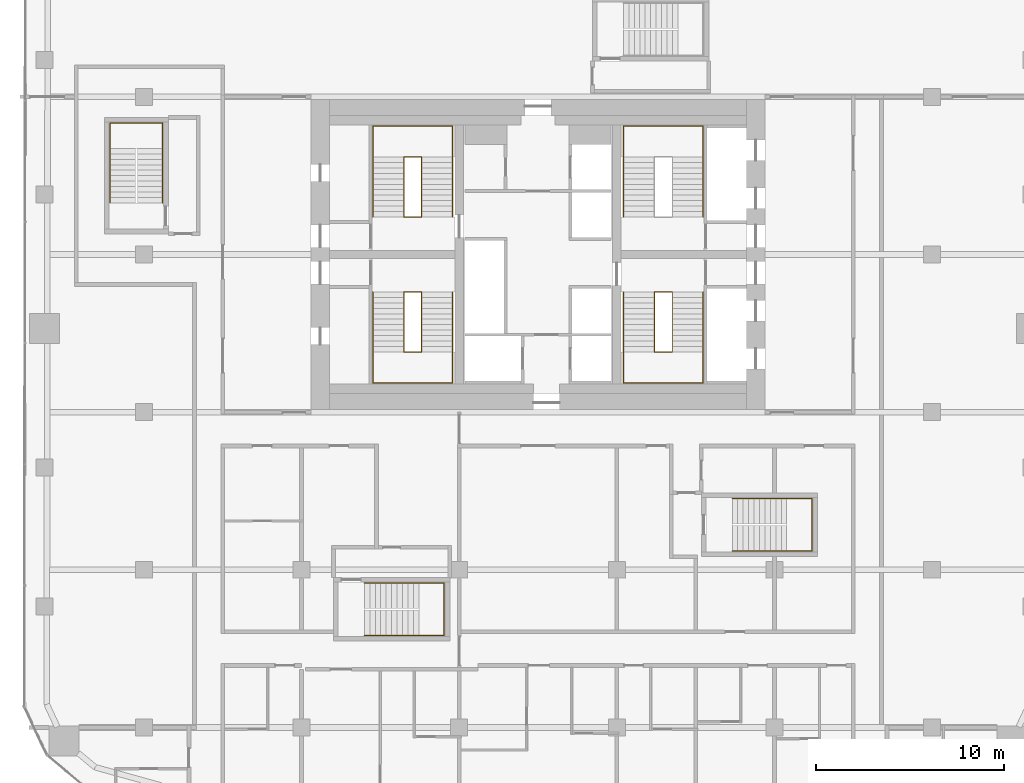
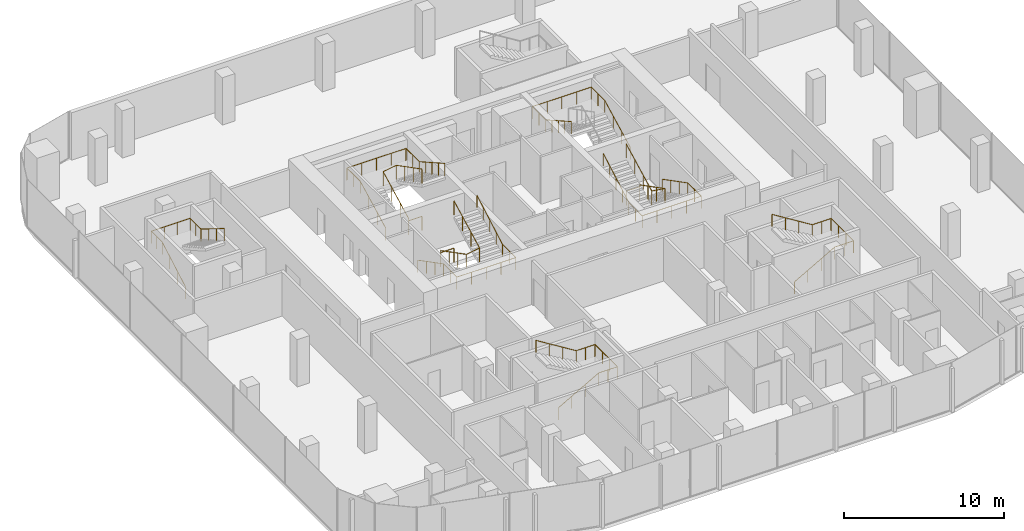
# One storey, part 20 of 21: 10 railings.
"""IFC4 building model written with IfcOpenShell, lengths in metres."""

from ifc_helpers import new_model, si_unit, direction, frame, origin, origin_2d, place, context, subcontext, project, spatial, circle, extrude, material, type_object, element, save


model = new_model("IFC4")

# Units and contexts
model_context = context("Model", 3, precision=1e-05, world=origin(), true_north=direction((0.0, 1.0)))
body_context = subcontext(model_context, "Body", "Model", "MODEL_VIEW")
ifc_project = project(units=[si_unit("LENGTHUNIT", "METRE"), si_unit("AREAUNIT", "SQUARE_METRE"), si_unit("VOLUMEUNIT", "CUBIC_METRE"), si_unit("PLANEANGLEUNIT", "RADIAN"), si_unit("MASSUNIT", "GRAM", prefix="KILO")], contexts=[model_context])

# Site, building, storey
site_placement = place(None, origin())
site = spatial("IfcSite", under=ifc_project, at=site_placement, CompositionType="ELEMENT")
building_placement = place(site_placement, origin())
building = spatial("IfcBuilding", under=site, at=building_placement, Name="Marenta Gate Hotel Tower", CompositionType="ELEMENT")
storey_placement = place(building_placement, frame((0.0, 0.0, 133.699951171875)))
storey = spatial("IfcBuildingStorey", under=building, at=storey_placement, Name="L30", CompositionType="ELEMENT", Elevation=133.699951171875)

# Railings
ifc_material_1 = material(Name="Stainless steel", Category="steel")
railing_type_1 = type_object("IfcRailingType", Name="Core stair handrail 950", PredefinedType="HANDRAIL", material=ifc_material_1)
railing_1_placement = place(storey_placement, frame((-8.800048828125, 6.39990234375, 0.150146484375)))
element("IfcRailing", 1, at=railing_1_placement, inside=storey, type_object=railing_type_1, Name="HR-950 L30-KR-ST1-1", PredefinedType="HANDRAIL", context=body_context, shape_type="SweptSolid", body=[
    extrude(circle(Radius=0.02392578125, at=origin_2d()), frame((0.0, 0.0, 0.92578125), z_axis=(0.0, -0.888225295554, 0.459408123936), x_axis=(1.0, 0.0, 0.0)), (0.0, 0.0, 1.0), 3.59130859375),
    extrude(circle(Radius=0.02392578125, at=origin_2d()), frame((0.0, -3.18994140625, 2.57568359375), z_axis=(0.0, -1.0, 0.0), x_axis=(1.0, 0.0, 0.0)), (0.0, 0.0, 1.0), 1.659912109375),
    extrude(circle(Radius=0.02392578125, at=origin_2d()), frame((0.0, -4.849853515625, 2.57568359375), z_axis=(1.0, 0.0, 0.0), x_axis=(0.0, 1.0, 0.0)), (0.0, 0.0, 1.0), 4.25),
    extrude(circle(Radius=0.02392578125, at=origin_2d()), frame((4.25, -4.849853515625, 2.57568359375), z_axis=(0.0, 1.0, 0.0), x_axis=(-1.0, 0.0, 0.0)), (0.0, 0.0, 1.0), 1.659912109375),
    extrude(circle(Radius=0.02392578125, at=origin_2d()), frame((4.25, -3.18994140625, 2.57568359375), z_axis=(0.0, 0.87090897868, 0.491444351738), x_axis=(-1.0, 0.0, 0.0)), (0.0, 0.0, 1.0), 3.662841796875),
    extrude(circle(Radius=0.02099609375, at=origin_2d()), origin(), (0.0, 0.0, 1.0), 0.90185546875),
    extrude(circle(Radius=0.02099609375, at=origin_2d()), frame((0.0, -1.063232421875, 0.550048828125)), (0.0, 0.0, 1.0), 0.90185546875),
    extrude(circle(Radius=0.02099609375, at=origin_2d()), frame((0.0, -2.126708984375, 1.099853515625)), (0.0, 0.0, 1.0), 0.90185546875),
    extrude(circle(Radius=0.02099609375, at=origin_2d()), frame((0.0, -3.18994140625, 1.64990234375)), (0.0, 0.0, 1.0), 0.90185546875),
    extrude(circle(Radius=0.02099609375, at=origin_2d()), frame((0.0, -4.02001953125, 1.64990234375)), (0.0, 0.0, 1.0), 0.90185546875),
    extrude(circle(Radius=0.02099609375, at=origin_2d()), frame((0.0, -4.849853515625, 1.64990234375)), (0.0, 0.0, 1.0), 0.90185546875),
    extrude(circle(Radius=0.02099609375, at=origin_2d()), frame((1.0625, -4.849853515625, 1.64990234375)), (0.0, 0.0, 1.0), 0.90185546875),
    extrude(circle(Radius=0.02099609375, at=origin_2d()), frame((2.125, -4.849853515625, 1.64990234375)), (0.0, 0.0, 1.0), 0.90185546875),
    extrude(circle(Radius=0.02099609375, at=origin_2d()), frame((3.1875, -4.849853515625, 1.64990234375)), (0.0, 0.0, 1.0), 0.90185546875),
    extrude(circle(Radius=0.02099609375, at=origin_2d()), frame((4.25, -4.849853515625, 1.64990234375)), (0.0, 0.0, 1.0), 0.90185546875),
    extrude(circle(Radius=0.02099609375, at=origin_2d()), frame((4.25, -4.02001953125, 1.64990234375)), (0.0, 0.0, 1.0), 0.90185546875),
    extrude(circle(Radius=0.02099609375, at=origin_2d()), frame((4.25, -3.18994140625, 1.64990234375)), (0.0, 0.0, 1.0), 0.90185546875),
    extrude(circle(Radius=0.02099609375, at=origin_2d()), frame((4.25, -2.392578125, 2.099853515625)), (0.0, 0.0, 1.0), 0.90185546875),
    extrude(circle(Radius=0.02099609375, at=origin_2d()), frame((4.25, -1.594970703125, 2.5498046875)), (0.0, 0.0, 1.0), 0.90185546875),
    extrude(circle(Radius=0.02099609375, at=origin_2d()), frame((4.25, -0.79736328125, 3.0)), (0.0, 0.0, 1.0), 0.90185546875),
    extrude(circle(Radius=0.02099609375, at=origin_2d()), frame((4.25, 0.0, 3.449951171875)), (0.0, 0.0, 1.0), 0.90185546875),
])
railing_2_placement = place(storey_placement, frame((-8.800048828125, 10.39990234375, 0.150146484375)))
element("IfcRailing", 2, at=railing_2_placement, inside=storey, type_object=railing_type_1, Name="HR-950 L30-KR-ST2-1", PredefinedType="HANDRAIL", context=body_context, shape_type="SweptSolid", body=[
    extrude(circle(Radius=0.02392578125, at=origin_2d()), frame((0.0, 0.0, 0.92578125), z_axis=(0.0, 0.888239641807, 0.459380385653), x_axis=(-1.0, 0.0, 0.0)), (0.0, 0.0, 1.0), 3.591552734375),
    extrude(circle(Radius=0.02392578125, at=origin_2d()), frame((0.0, 3.190185546875, 2.57568359375), z_axis=(0.0, 1.0, 0.0), x_axis=(-1.0, 0.0, 0.0)), (0.0, 0.0, 1.0), 1.659912109375),
    extrude(circle(Radius=0.02392578125, at=origin_2d()), frame((0.0, 4.85009765625, 2.57568359375), z_axis=(1.0, 0.0, 0.0), x_axis=(0.0, 1.0, 0.0)), (0.0, 0.0, 1.0), 4.25),
    extrude(circle(Radius=0.02392578125, at=origin_2d()), frame((4.25, 4.85009765625, 2.57568359375), z_axis=(0.0, -1.0, 0.0), x_axis=(1.0, 0.0, 0.0)), (0.0, 0.0, 1.0), 1.659912109375),
    extrude(circle(Radius=0.02392578125, at=origin_2d()), frame((4.25, 3.190185546875, 2.57568359375), z_axis=(0.0, -0.870925075533, 0.491415824742), x_axis=(1.0, 0.0, 0.0)), (0.0, 0.0, 1.0), 3.6630859375),
    extrude(circle(Radius=0.02099609375, at=origin_2d()), origin(), (0.0, 0.0, 1.0), 0.90185546875),
    extrude(circle(Radius=0.02099609375, at=origin_2d()), frame((0.0, 1.0634765625, 0.550048828125)), (0.0, 0.0, 1.0), 0.90185546875),
    extrude(circle(Radius=0.02099609375, at=origin_2d()), frame((0.0, 2.126708984375, 1.099853515625)), (0.0, 0.0, 1.0), 0.90185546875),
    extrude(circle(Radius=0.02099609375, at=origin_2d()), frame((0.0, 3.190185546875, 1.64990234375)), (0.0, 0.0, 1.0), 0.90185546875),
    extrude(circle(Radius=0.02099609375, at=origin_2d()), frame((0.0, 4.02001953125, 1.64990234375)), (0.0, 0.0, 1.0), 0.90185546875),
    extrude(circle(Radius=0.02099609375, at=origin_2d()), frame((0.0, 4.85009765625, 1.64990234375)), (0.0, 0.0, 1.0), 0.90185546875),
    extrude(circle(Radius=0.02099609375, at=origin_2d()), frame((1.0625, 4.85009765625, 1.64990234375)), (0.0, 0.0, 1.0), 0.90185546875),
    extrude(circle(Radius=0.02099609375, at=origin_2d()), frame((2.125, 4.85009765625, 1.64990234375)), (0.0, 0.0, 1.0), 0.90185546875),
    extrude(circle(Radius=0.02099609375, at=origin_2d()), frame((3.1875, 4.85009765625, 1.64990234375)), (0.0, 0.0, 1.0), 0.90185546875),
    extrude(circle(Radius=0.02099609375, at=origin_2d()), frame((4.25, 4.85009765625, 1.64990234375)), (0.0, 0.0, 1.0), 0.90185546875),
    extrude(circle(Radius=0.02099609375, at=origin_2d()), frame((4.25, 4.02001953125, 1.64990234375)), (0.0, 0.0, 1.0), 0.90185546875),
    extrude(circle(Radius=0.02099609375, at=origin_2d()), frame((4.25, 3.190185546875, 1.64990234375)), (0.0, 0.0, 1.0), 0.90185546875),
    extrude(circle(Radius=0.02099609375, at=origin_2d()), frame((4.25, 2.392578125, 2.099853515625)), (0.0, 0.0, 1.0), 0.90185546875),
    extrude(circle(Radius=0.02099609375, at=origin_2d()), frame((4.25, 1.59521484375, 2.5498046875)), (0.0, 0.0, 1.0), 0.90185546875),
    extrude(circle(Radius=0.02099609375, at=origin_2d()), frame((4.25, 0.797607421875, 3.0)), (0.0, 0.0, 1.0), 0.90185546875),
    extrude(circle(Radius=0.02099609375, at=origin_2d()), frame((4.25, 0.0, 3.449951171875)), (0.0, 0.0, 1.0), 0.90185546875),
])
railing_3_placement = place(storey_placement, frame((8.800048828125, 6.39990234375, 0.150146484375)))
element("IfcRailing", 3, at=railing_3_placement, inside=storey, type_object=railing_type_1, Name="HR-950 L30-KR-ST3-1", PredefinedType="HANDRAIL", context=body_context, shape_type="SweptSolid", body=[
    extrude(circle(Radius=0.02392578125, at=origin_2d()), frame((0.0, 0.0, 0.92578125), z_axis=(0.0, -0.888225295554, 0.459408123936), x_axis=(1.0, 0.0, 0.0)), (0.0, 0.0, 1.0), 3.59130859375),
    extrude(circle(Radius=0.02392578125, at=origin_2d()), frame((0.0, -3.18994140625, 2.57568359375), z_axis=(0.0, -1.0, 0.0), x_axis=(1.0, 0.0, 0.0)), (0.0, 0.0, 1.0), 1.659912109375),
    extrude(circle(Radius=0.02392578125, at=origin_2d()), frame((0.0, -4.849853515625, 2.57568359375), z_axis=(-1.0, 0.0, 0.0), x_axis=(0.0, -1.0, 0.0)), (0.0, 0.0, 1.0), 4.25),
    extrude(circle(Radius=0.02392578125, at=origin_2d()), frame((-4.25, -4.849853515625, 2.57568359375), z_axis=(0.0, 1.0, 0.0), x_axis=(-1.0, 0.0, 0.0)), (0.0, 0.0, 1.0), 1.659912109375),
    extrude(circle(Radius=0.02392578125, at=origin_2d()), frame((-4.25, -3.18994140625, 2.57568359375), z_axis=(0.0, 0.87090897868, 0.491444351738), x_axis=(-1.0, 0.0, 0.0)), (0.0, 0.0, 1.0), 3.662841796875),
    extrude(circle(Radius=0.02099609375, at=origin_2d()), origin(), (0.0, 0.0, 1.0), 0.90185546875),
    extrude(circle(Radius=0.02099609375, at=origin_2d()), frame((0.0, -1.063232421875, 0.550048828125)), (0.0, 0.0, 1.0), 0.90185546875),
    extrude(circle(Radius=0.02099609375, at=origin_2d()), frame((0.0, -2.126708984375, 1.099853515625)), (0.0, 0.0, 1.0), 0.90185546875),
    extrude(circle(Radius=0.02099609375, at=origin_2d()), frame((0.0, -3.18994140625, 1.64990234375)), (0.0, 0.0, 1.0), 0.90185546875),
    extrude(circle(Radius=0.02099609375, at=origin_2d()), frame((0.0, -4.02001953125, 1.64990234375)), (0.0, 0.0, 1.0), 0.90185546875),
    extrude(circle(Radius=0.02099609375, at=origin_2d()), frame((0.0, -4.849853515625, 1.64990234375)), (0.0, 0.0, 1.0), 0.90185546875),
    extrude(circle(Radius=0.02099609375, at=origin_2d()), frame((-1.0625, -4.849853515625, 1.64990234375)), (0.0, 0.0, 1.0), 0.90185546875),
    extrude(circle(Radius=0.02099609375, at=origin_2d()), frame((-2.125, -4.849853515625, 1.64990234375)), (0.0, 0.0, 1.0), 0.90185546875),
    extrude(circle(Radius=0.02099609375, at=origin_2d()), frame((-3.1875, -4.849853515625, 1.64990234375)), (0.0, 0.0, 1.0), 0.90185546875),
    extrude(circle(Radius=0.02099609375, at=origin_2d()), frame((-4.25, -4.849853515625, 1.64990234375)), (0.0, 0.0, 1.0), 0.90185546875),
    extrude(circle(Radius=0.02099609375, at=origin_2d()), frame((-4.25, -4.02001953125, 1.64990234375)), (0.0, 0.0, 1.0), 0.90185546875),
    extrude(circle(Radius=0.02099609375, at=origin_2d()), frame((-4.25, -3.18994140625, 1.64990234375)), (0.0, 0.0, 1.0), 0.90185546875),
    extrude(circle(Radius=0.02099609375, at=origin_2d()), frame((-4.25, -2.392578125, 2.099853515625)), (0.0, 0.0, 1.0), 0.90185546875),
    extrude(circle(Radius=0.02099609375, at=origin_2d()), frame((-4.25, -1.594970703125, 2.5498046875)), (0.0, 0.0, 1.0), 0.90185546875),
    extrude(circle(Radius=0.02099609375, at=origin_2d()), frame((-4.25, -0.79736328125, 3.0)), (0.0, 0.0, 1.0), 0.90185546875),
    extrude(circle(Radius=0.02099609375, at=origin_2d()), frame((-4.25, 0.0, 3.449951171875)), (0.0, 0.0, 1.0), 0.90185546875),
])
railing_4_placement = place(storey_placement, frame((8.800048828125, 10.39990234375, 0.150146484375)))
element("IfcRailing", 4, at=railing_4_placement, inside=storey, type_object=railing_type_1, Name="HR-950 L30-KR-ST4-1", PredefinedType="HANDRAIL", context=body_context, shape_type="SweptSolid", body=[
    extrude(circle(Radius=0.02392578125, at=origin_2d()), frame((0.0, 0.0, 0.92578125), z_axis=(0.0, 0.888239641807, 0.459380385653), x_axis=(-1.0, 0.0, 0.0)), (0.0, 0.0, 1.0), 3.591552734375),
    extrude(circle(Radius=0.02392578125, at=origin_2d()), frame((0.0, 3.190185546875, 2.57568359375), z_axis=(0.0, 1.0, 0.0), x_axis=(-1.0, 0.0, 0.0)), (0.0, 0.0, 1.0), 1.659912109375),
    extrude(circle(Radius=0.02392578125, at=origin_2d()), frame((0.0, 4.85009765625, 2.57568359375), z_axis=(-1.0, 0.0, 0.0), x_axis=(0.0, -1.0, 0.0)), (0.0, 0.0, 1.0), 4.25),
    extrude(circle(Radius=0.02392578125, at=origin_2d()), frame((-4.25, 4.85009765625, 2.57568359375), z_axis=(0.0, -1.0, 0.0), x_axis=(1.0, 0.0, 0.0)), (0.0, 0.0, 1.0), 1.659912109375),
    extrude(circle(Radius=0.02392578125, at=origin_2d()), frame((-4.25, 3.190185546875, 2.57568359375), z_axis=(0.0, -0.870925075533, 0.491415824742), x_axis=(1.0, 0.0, 0.0)), (0.0, 0.0, 1.0), 3.6630859375),
    extrude(circle(Radius=0.02099609375, at=origin_2d()), origin(), (0.0, 0.0, 1.0), 0.90185546875),
    extrude(circle(Radius=0.02099609375, at=origin_2d()), frame((0.0, 1.0634765625, 0.550048828125)), (0.0, 0.0, 1.0), 0.90185546875),
    extrude(circle(Radius=0.02099609375, at=origin_2d()), frame((0.0, 2.126708984375, 1.099853515625)), (0.0, 0.0, 1.0), 0.90185546875),
    extrude(circle(Radius=0.02099609375, at=origin_2d()), frame((0.0, 3.190185546875, 1.64990234375)), (0.0, 0.0, 1.0), 0.90185546875),
    extrude(circle(Radius=0.02099609375, at=origin_2d()), frame((0.0, 4.02001953125, 1.64990234375)), (0.0, 0.0, 1.0), 0.90185546875),
    extrude(circle(Radius=0.02099609375, at=origin_2d()), frame((0.0, 4.85009765625, 1.64990234375)), (0.0, 0.0, 1.0), 0.90185546875),
    extrude(circle(Radius=0.02099609375, at=origin_2d()), frame((-1.0625, 4.85009765625, 1.64990234375)), (0.0, 0.0, 1.0), 0.90185546875),
    extrude(circle(Radius=0.02099609375, at=origin_2d()), frame((-2.125, 4.85009765625, 1.64990234375)), (0.0, 0.0, 1.0), 0.90185546875),
    extrude(circle(Radius=0.02099609375, at=origin_2d()), frame((-3.1875, 4.85009765625, 1.64990234375)), (0.0, 0.0, 1.0), 0.90185546875),
    extrude(circle(Radius=0.02099609375, at=origin_2d()), frame((-4.25, 4.85009765625, 1.64990234375)), (0.0, 0.0, 1.0), 0.90185546875),
    extrude(circle(Radius=0.02099609375, at=origin_2d()), frame((-4.25, 4.02001953125, 1.64990234375)), (0.0, 0.0, 1.0), 0.90185546875),
    extrude(circle(Radius=0.02099609375, at=origin_2d()), frame((-4.25, 3.190185546875, 1.64990234375)), (0.0, 0.0, 1.0), 0.90185546875),
    extrude(circle(Radius=0.02099609375, at=origin_2d()), frame((-4.25, 2.392578125, 2.099853515625)), (0.0, 0.0, 1.0), 0.90185546875),
    extrude(circle(Radius=0.02099609375, at=origin_2d()), frame((-4.25, 1.59521484375, 2.5498046875)), (0.0, 0.0, 1.0), 0.90185546875),
    extrude(circle(Radius=0.02099609375, at=origin_2d()), frame((-4.25, 0.797607421875, 3.0)), (0.0, 0.0, 1.0), 0.90185546875),
    extrude(circle(Radius=0.02099609375, at=origin_2d()), frame((-4.25, 0.0, 3.449951171875)), (0.0, 0.0, 1.0), 0.90185546875),
])
railing_5_placement = place(storey_placement, frame((-22.800048828125, 11.14990234375, 0.16357421875)))
element("IfcRailing", 5, at=railing_5_placement, inside=storey, type_object=railing_type_1, Name="HR-950 L30-RS-Z1-3-KR-1", PredefinedType="HANDRAIL", context=body_context, shape_type="SweptSolid", body=[
    extrude(circle(Radius=0.02392578125, at=origin_2d()), frame((0.0, 0.0, 0.92578125), z_axis=(0.0, 0.870914908162, 0.491433843708), x_axis=(-1.0, 0.0, 0.0)), (0.0, 0.0, 1.0), 3.330078125),
    extrude(circle(Radius=0.02392578125, at=origin_2d()), frame((0.0, 2.900146484375, 2.5625), z_axis=(0.0, 1.0, 0.0), x_axis=(-1.0, 0.0, 0.0)), (0.0, 0.0, 1.0), 1.349853515625),
    extrude(circle(Radius=0.02392578125, at=origin_2d()), frame((0.0, 4.25, 2.5625), z_axis=(1.0, 0.0, 0.0), x_axis=(0.0, 1.0, 0.0)), (0.0, 0.0, 1.0), 2.800048828125),
    extrude(circle(Radius=0.02392578125, at=origin_2d()), frame((2.800048828125, 4.25, 2.5625), z_axis=(0.0, -1.0, 0.0), x_axis=(1.0, 0.0, 0.0)), (0.0, 0.0, 1.0), 1.349853515625),
    extrude(circle(Radius=0.02392578125, at=origin_2d()), frame((2.800048828125, 2.900146484375, 2.5625), z_axis=(0.0, -0.849645691689, 0.527353959494), x_axis=(1.0, 0.0, 0.0)), (0.0, 0.0, 1.0), 3.413330078125),
    extrude(circle(Radius=0.02099609375, at=origin_2d()), origin(), (0.0, 0.0, 1.0), 0.90185546875),
    extrude(circle(Radius=0.02099609375, at=origin_2d()), frame((0.0, 0.966796875, 0.54541015625)), (0.0, 0.0, 1.0), 0.90185546875),
    extrude(circle(Radius=0.02099609375, at=origin_2d()), frame((0.0, 1.933349609375, 1.091064453125)), (0.0, 0.0, 1.0), 0.90185546875),
    extrude(circle(Radius=0.02099609375, at=origin_2d()), frame((0.0, 2.900146484375, 1.636474609375)), (0.0, 0.0, 1.0), 0.90185546875),
    extrude(circle(Radius=0.02099609375, at=origin_2d()), frame((0.0, 3.5751953125, 1.636474609375)), (0.0, 0.0, 1.0), 0.90185546875),
    extrude(circle(Radius=0.02099609375, at=origin_2d()), frame((0.0, 4.25, 1.636474609375)), (0.0, 0.0, 1.0), 0.90185546875),
    extrude(circle(Radius=0.02099609375, at=origin_2d()), frame((0.933349609375, 4.25, 1.636474609375)), (0.0, 0.0, 1.0), 0.90185546875),
    extrude(circle(Radius=0.02099609375, at=origin_2d()), frame((1.86669921875, 4.25, 1.636474609375)), (0.0, 0.0, 1.0), 0.90185546875),
    extrude(circle(Radius=0.02099609375, at=origin_2d()), frame((2.800048828125, 4.25, 1.636474609375)), (0.0, 0.0, 1.0), 0.90185546875),
    extrude(circle(Radius=0.02099609375, at=origin_2d()), frame((2.800048828125, 3.5751953125, 1.636474609375)), (0.0, 0.0, 1.0), 0.90185546875),
    extrude(circle(Radius=0.02099609375, at=origin_2d()), frame((2.800048828125, 2.900146484375, 1.636474609375)), (0.0, 0.0, 1.0), 0.90185546875),
    extrude(circle(Radius=0.02099609375, at=origin_2d()), frame((2.800048828125, 1.933349609375, 2.236572265625)), (0.0, 0.0, 1.0), 0.90185546875),
    extrude(circle(Radius=0.02099609375, at=origin_2d()), frame((2.800048828125, 0.966796875, 2.83642578125)), (0.0, 0.0, 1.0), 0.90185546875),
    extrude(circle(Radius=0.02099609375, at=origin_2d()), frame((2.800048828125, 0.0, 3.4365234375)), (0.0, 0.0, 1.0), 0.90185546875),
])
railing_6_placement = place(storey_placement, frame((-9.25, -11.89990234375, 0.16357421875)))
element("IfcRailing", 6, at=railing_6_placement, inside=storey, type_object=railing_type_1, Name="HR-950 L30-RS-Z2-1-KR-1", PredefinedType="HANDRAIL", context=body_context, shape_type="SweptSolid", body=[
    extrude(circle(Radius=0.02392578125, at=origin_2d()), frame((0.0, 0.0, 0.92578125), z_axis=(0.870897200241, 0.0, 0.491465224214), x_axis=(0.0, 1.0, 0.0)), (0.0, 0.0, 1.0), 3.329833984375),
    extrude(circle(Radius=0.02392578125, at=origin_2d()), frame((2.89990234375, 0.0, 2.5625), z_axis=(1.0, 0.0, 0.0), x_axis=(0.0, 1.0, 0.0)), (0.0, 0.0, 1.0), 1.35009765625),
    extrude(circle(Radius=0.02392578125, at=origin_2d()), frame((4.25, 0.0, 2.5625), z_axis=(0.0, 1.0, 0.0), x_axis=(-1.0, 0.0, 0.0)), (0.0, 0.0, 1.0), 2.7998046875),
    extrude(circle(Radius=0.02392578125, at=origin_2d()), frame((4.25, 2.7998046875, 2.5625), z_axis=(-1.0, 0.0, 0.0), x_axis=(0.0, -1.0, 0.0)), (0.0, 0.0, 1.0), 1.35009765625),
    extrude(circle(Radius=0.02392578125, at=origin_2d()), frame((2.89990234375, 2.7998046875, 2.5625), z_axis=(-0.849625798611, 0.0, 0.527386008853), x_axis=(0.0, -1.0, 0.0)), (0.0, 0.0, 1.0), 3.4130859375),
    extrude(circle(Radius=0.02099609375, at=origin_2d()), origin(), (0.0, 0.0, 1.0), 0.90185546875),
    extrude(circle(Radius=0.02099609375, at=origin_2d()), frame((0.966552734375, 0.0, 0.54541015625)), (0.0, 0.0, 1.0), 0.90185546875),
    extrude(circle(Radius=0.02099609375, at=origin_2d()), frame((1.933349609375, 0.0, 1.091064453125)), (0.0, 0.0, 1.0), 0.90185546875),
    extrude(circle(Radius=0.02099609375, at=origin_2d()), frame((2.89990234375, 0.0, 1.636474609375)), (0.0, 0.0, 1.0), 0.90185546875),
    extrude(circle(Radius=0.02099609375, at=origin_2d()), frame((3.574951171875, 0.0, 1.636474609375)), (0.0, 0.0, 1.0), 0.90185546875),
    extrude(circle(Radius=0.02099609375, at=origin_2d()), frame((4.25, 0.0, 1.636474609375)), (0.0, 0.0, 1.0), 0.90185546875),
    extrude(circle(Radius=0.02099609375, at=origin_2d()), frame((4.25, 0.933349609375, 1.636474609375)), (0.0, 0.0, 1.0), 0.90185546875),
    extrude(circle(Radius=0.02099609375, at=origin_2d()), frame((4.25, 1.866455078125, 1.636474609375)), (0.0, 0.0, 1.0), 0.90185546875),
    extrude(circle(Radius=0.02099609375, at=origin_2d()), frame((4.25, 2.7998046875, 1.636474609375)), (0.0, 0.0, 1.0), 0.90185546875),
    extrude(circle(Radius=0.02099609375, at=origin_2d()), frame((3.574951171875, 2.7998046875, 1.636474609375)), (0.0, 0.0, 1.0), 0.90185546875),
    extrude(circle(Radius=0.02099609375, at=origin_2d()), frame((2.89990234375, 2.7998046875, 1.636474609375)), (0.0, 0.0, 1.0), 0.90185546875),
    extrude(circle(Radius=0.02099609375, at=origin_2d()), frame((1.933349609375, 2.7998046875, 2.236572265625)), (0.0, 0.0, 1.0), 0.90185546875),
    extrude(circle(Radius=0.02099609375, at=origin_2d()), frame((0.966552734375, 2.7998046875, 2.83642578125)), (0.0, 0.0, 1.0), 0.90185546875),
    extrude(circle(Radius=0.02099609375, at=origin_2d()), frame((0.0, 2.7998046875, 3.4365234375)), (0.0, 0.0, 1.0), 0.90185546875),
])
railing_7_placement = place(storey_placement, frame((10.35009765625, -7.39990234375, 0.16357421875)))
element("IfcRailing", 7, at=railing_7_placement, inside=storey, type_object=railing_type_1, Name="HR-950 L30-RS-Z2-2-KR-1", PredefinedType="HANDRAIL", context=body_context, shape_type="SweptSolid", body=[
    extrude(circle(Radius=0.02392578125, at=origin_2d()), frame((0.0, 0.0, 0.92578125), z_axis=(0.870897200241, 0.0, 0.491465224214), x_axis=(0.0, 1.0, 0.0)), (0.0, 0.0, 1.0), 3.329833984375),
    extrude(circle(Radius=0.02392578125, at=origin_2d()), frame((2.89990234375, 0.0, 2.5625), z_axis=(1.0, 0.0, 0.0), x_axis=(0.0, 1.0, 0.0)), (0.0, 0.0, 1.0), 1.35009765625),
    extrude(circle(Radius=0.02392578125, at=origin_2d()), frame((4.25, 0.0, 2.5625), z_axis=(0.0, 1.0, 0.0), x_axis=(-1.0, 0.0, 0.0)), (0.0, 0.0, 1.0), 2.7998046875),
    extrude(circle(Radius=0.02392578125, at=origin_2d()), frame((4.25, 2.7998046875, 2.5625), z_axis=(-1.0, 0.0, 0.0), x_axis=(0.0, -1.0, 0.0)), (0.0, 0.0, 1.0), 1.35009765625),
    extrude(circle(Radius=0.02392578125, at=origin_2d()), frame((2.89990234375, 2.7998046875, 2.5625), z_axis=(-0.849625798611, 0.0, 0.527386008853), x_axis=(0.0, -1.0, 0.0)), (0.0, 0.0, 1.0), 3.4130859375),
    extrude(circle(Radius=0.02099609375, at=origin_2d()), origin(), (0.0, 0.0, 1.0), 0.90185546875),
    extrude(circle(Radius=0.02099609375, at=origin_2d()), frame((0.966552734375, 0.0, 0.54541015625)), (0.0, 0.0, 1.0), 0.90185546875),
    extrude(circle(Radius=0.02099609375, at=origin_2d()), frame((1.933349609375, 0.0, 1.091064453125)), (0.0, 0.0, 1.0), 0.90185546875),
    extrude(circle(Radius=0.02099609375, at=origin_2d()), frame((2.89990234375, 0.0, 1.636474609375)), (0.0, 0.0, 1.0), 0.90185546875),
    extrude(circle(Radius=0.02099609375, at=origin_2d()), frame((3.574951171875, 0.0, 1.636474609375)), (0.0, 0.0, 1.0), 0.90185546875),
    extrude(circle(Radius=0.02099609375, at=origin_2d()), frame((4.25, 0.0, 1.636474609375)), (0.0, 0.0, 1.0), 0.90185546875),
    extrude(circle(Radius=0.02099609375, at=origin_2d()), frame((4.25, 0.933349609375, 1.636474609375)), (0.0, 0.0, 1.0), 0.90185546875),
    extrude(circle(Radius=0.02099609375, at=origin_2d()), frame((4.25, 1.866455078125, 1.636474609375)), (0.0, 0.0, 1.0), 0.90185546875),
    extrude(circle(Radius=0.02099609375, at=origin_2d()), frame((4.25, 2.7998046875, 1.636474609375)), (0.0, 0.0, 1.0), 0.90185546875),
    extrude(circle(Radius=0.02099609375, at=origin_2d()), frame((3.574951171875, 2.7998046875, 1.636474609375)), (0.0, 0.0, 1.0), 0.90185546875),
    extrude(circle(Radius=0.02099609375, at=origin_2d()), frame((2.89990234375, 2.7998046875, 1.636474609375)), (0.0, 0.0, 1.0), 0.90185546875),
    extrude(circle(Radius=0.02099609375, at=origin_2d()), frame((1.933349609375, 2.7998046875, 2.236572265625)), (0.0, 0.0, 1.0), 0.90185546875),
    extrude(circle(Radius=0.02099609375, at=origin_2d()), frame((0.966552734375, 2.7998046875, 2.83642578125)), (0.0, 0.0, 1.0), 0.90185546875),
    extrude(circle(Radius=0.02099609375, at=origin_2d()), frame((0.0, 2.7998046875, 3.4365234375)), (0.0, 0.0, 1.0), 0.90185546875),
])
ifc_material_2 = material(Name="Stainless steel", Category="steel")
railing_type_2 = type_object("IfcRailingType", Name="Core stair well guard 1100", PredefinedType="GUARDRAIL", material=ifc_material_2)
railing_8_placement = place(storey_placement, frame((-6.199951171875, 6.39990234375, 0.0)))
element("IfcRailing", 8, at=railing_8_placement, inside=storey, type_object=railing_type_2, Name="GR-1100 L30-KR-ST1-2", PredefinedType="GUARDRAIL", context=body_context, shape_type="SweptSolid", body=[
    extrude(circle(Radius=0.02392578125, at=origin_2d()), frame((0.0, 0.0, 1.076171875), z_axis=(-1.0, 0.0, 0.0), x_axis=(0.0, -1.0, 0.0)), (0.0, 0.0, 1.0), 0.949951171875),
    extrude(circle(Radius=0.02392578125, at=origin_2d()), frame((-0.949951171875, 0.0, 1.076171875), z_axis=(0.0, 0.0, 1.0), x_axis=(1.0, 0.0, 0.0)), (0.0, 0.0, 1.0), 0.150146484375),
    extrude(circle(Radius=0.02392578125, at=origin_2d()), frame((-0.949951171875, 0.0, 1.22607421875), z_axis=(0.0, -0.888225295554, 0.459408123936), x_axis=(1.0, 0.0, 0.0)), (0.0, 0.0, 1.0), 3.59130859375),
    extrude(circle(Radius=0.02392578125, at=origin_2d()), frame((-0.949951171875, -3.18994140625, 2.8759765625), z_axis=(0.987777369502, 0.0, 0.15587131968), x_axis=(0.0, 1.0, 0.0)), (0.0, 0.0, 1.0), 0.961669921875),
    extrude(circle(Radius=0.02392578125, at=origin_2d()), frame((0.0, -3.18994140625, 3.02587890625), z_axis=(0.0, 0.888197555067, 0.459461753765), x_axis=(-1.0, 0.0, 0.0)), (0.0, 0.0, 1.0), 3.591552734375),
    extrude(circle(Radius=0.02099609375, at=origin_2d()), origin(), (0.0, 0.0, 1.0), 1.052001953125),
    extrude(circle(Radius=0.02099609375, at=origin_2d()), frame((-0.949951171875, 0.0, 0.0)), (0.0, 0.0, 1.0), 1.052001953125),
    extrude(circle(Radius=0.02099609375, at=origin_2d()), frame((-0.949951171875, 0.0, 0.150146484375)), (0.0, 0.0, 1.0), 1.052001953125),
    extrude(circle(Radius=0.02099609375, at=origin_2d()), frame((-0.949951171875, -1.063232421875, 0.7001953125)), (0.0, 0.0, 1.0), 1.052001953125),
    extrude(circle(Radius=0.02099609375, at=origin_2d()), frame((-0.949951171875, -2.126708984375, 1.25)), (0.0, 0.0, 1.0), 1.052001953125),
    extrude(circle(Radius=0.02099609375, at=origin_2d()), frame((-0.949951171875, -3.18994140625, 1.800048828125)), (0.0, 0.0, 1.0), 1.052001953125),
    extrude(circle(Radius=0.02099609375, at=origin_2d()), frame((0.0, -3.18994140625, 1.949951171875)), (0.0, 0.0, 1.0), 1.052001953125),
    extrude(circle(Radius=0.02099609375, at=origin_2d()), frame((0.0, -2.126708984375, 2.5)), (0.0, 0.0, 1.0), 1.052001953125),
    extrude(circle(Radius=0.02099609375, at=origin_2d()), frame((0.0, -1.063232421875, 3.050048828125)), (0.0, 0.0, 1.0), 1.052001953125),
    extrude(circle(Radius=0.02099609375, at=origin_2d()), frame((0.0, 0.0, 3.60009765625)), (0.0, 0.0, 1.0), 1.052001953125),
])
railing_9_placement = place(storey_placement, frame((-6.199951171875, 10.39990234375, 0.0)))
element("IfcRailing", 9, at=railing_9_placement, inside=storey, type_object=railing_type_2, Name="GR-1100 L30-KR-ST2-2", PredefinedType="GUARDRAIL", context=body_context, shape_type="SweptSolid", body=[
    extrude(circle(Radius=0.02392578125, at=origin_2d()), frame((0.0, 0.0, 1.076171875), z_axis=(-1.0, 0.0, 0.0), x_axis=(0.0, -1.0, 0.0)), (0.0, 0.0, 1.0), 0.949951171875),
    extrude(circle(Radius=0.02392578125, at=origin_2d()), frame((-0.949951171875, 0.0, 1.076171875), z_axis=(0.0, 0.0, 1.0), x_axis=(1.0, 0.0, 0.0)), (0.0, 0.0, 1.0), 0.150146484375),
    extrude(circle(Radius=0.02392578125, at=origin_2d()), frame((-0.949951171875, 0.0, 1.22607421875), z_axis=(0.0, 0.888239641807, 0.459380385653), x_axis=(-1.0, 0.0, 0.0)), (0.0, 0.0, 1.0), 3.591552734375),
    extrude(circle(Radius=0.02392578125, at=origin_2d()), frame((-0.949951171875, 3.190185546875, 2.8759765625), z_axis=(0.987777369502, 0.0, 0.15587131968), x_axis=(0.0, 1.0, 0.0)), (0.0, 0.0, 1.0), 0.961669921875),
    extrude(circle(Radius=0.02392578125, at=origin_2d()), frame((0.0, 3.190185546875, 3.02587890625), z_axis=(0.0, -0.888211904222, 0.459434013977), x_axis=(1.0, 0.0, 0.0)), (0.0, 0.0, 1.0), 3.591796875),
    extrude(circle(Radius=0.02099609375, at=origin_2d()), origin(), (0.0, 0.0, 1.0), 1.052001953125),
    extrude(circle(Radius=0.02099609375, at=origin_2d()), frame((-0.949951171875, 0.0, 0.0)), (0.0, 0.0, 1.0), 1.052001953125),
    extrude(circle(Radius=0.02099609375, at=origin_2d()), frame((-0.949951171875, 0.0, 0.150146484375)), (0.0, 0.0, 1.0), 1.052001953125),
    extrude(circle(Radius=0.02099609375, at=origin_2d()), frame((-0.949951171875, 1.0634765625, 0.7001953125)), (0.0, 0.0, 1.0), 1.052001953125),
    extrude(circle(Radius=0.02099609375, at=origin_2d()), frame((-0.949951171875, 2.126708984375, 1.25)), (0.0, 0.0, 1.0), 1.052001953125),
    extrude(circle(Radius=0.02099609375, at=origin_2d()), frame((-0.949951171875, 3.190185546875, 1.800048828125)), (0.0, 0.0, 1.0), 1.052001953125),
    extrude(circle(Radius=0.02099609375, at=origin_2d()), frame((0.0, 3.190185546875, 1.949951171875)), (0.0, 0.0, 1.0), 1.052001953125),
    extrude(circle(Radius=0.02099609375, at=origin_2d()), frame((0.0, 2.126708984375, 2.5)), (0.0, 0.0, 1.0), 1.052001953125),
    extrude(circle(Radius=0.02099609375, at=origin_2d()), frame((0.0, 1.0634765625, 3.050048828125)), (0.0, 0.0, 1.0), 1.052001953125),
    extrude(circle(Radius=0.02099609375, at=origin_2d()), frame((0.0, 0.0, 3.60009765625)), (0.0, 0.0, 1.0), 1.052001953125),
])
railing_10_placement = place(storey_placement, frame((6.199951171875, 6.39990234375, 0.0)))
element("IfcRailing", 10, at=railing_10_placement, inside=storey, type_object=railing_type_2, Name="GR-1100 L30-KR-ST3-2", PredefinedType="GUARDRAIL", context=body_context, shape_type="SweptSolid", body=[
    extrude(circle(Radius=0.02392578125, at=origin_2d()), frame((0.0, 0.0, 1.076171875), z_axis=(1.0, 0.0, 0.0), x_axis=(0.0, 1.0, 0.0)), (0.0, 0.0, 1.0), 0.949951171875),
    extrude(circle(Radius=0.02392578125, at=origin_2d()), frame((0.949951171875, 0.0, 1.076171875), z_axis=(0.0, 0.0, 1.0), x_axis=(1.0, 0.0, 0.0)), (0.0, 0.0, 1.0), 0.150146484375),
    extrude(circle(Radius=0.02392578125, at=origin_2d()), frame((0.949951171875, 0.0, 1.22607421875), z_axis=(0.0, -0.888225295554, 0.459408123936), x_axis=(1.0, 0.0, 0.0)), (0.0, 0.0, 1.0), 3.59130859375),
    extrude(circle(Radius=0.02392578125, at=origin_2d()), frame((0.949951171875, -3.18994140625, 2.8759765625), z_axis=(-0.987777369502, 0.0, 0.15587131968), x_axis=(0.0, -1.0, 0.0)), (0.0, 0.0, 1.0), 0.961669921875),
    extrude(circle(Radius=0.02392578125, at=origin_2d()), frame((0.0, -3.18994140625, 3.02587890625), z_axis=(0.0, 0.888197555067, 0.459461753765), x_axis=(-1.0, 0.0, 0.0)), (0.0, 0.0, 1.0), 3.591552734375),
    extrude(circle(Radius=0.02099609375, at=origin_2d()), origin(), (0.0, 0.0, 1.0), 1.052001953125),
    extrude(circle(Radius=0.02099609375, at=origin_2d()), frame((0.949951171875, 0.0, 0.0)), (0.0, 0.0, 1.0), 1.052001953125),
    extrude(circle(Radius=0.02099609375, at=origin_2d()), frame((0.949951171875, 0.0, 0.150146484375)), (0.0, 0.0, 1.0), 1.052001953125),
    extrude(circle(Radius=0.02099609375, at=origin_2d()), frame((0.949951171875, -1.063232421875, 0.7001953125)), (0.0, 0.0, 1.0), 1.052001953125),
    extrude(circle(Radius=0.02099609375, at=origin_2d()), frame((0.949951171875, -2.126708984375, 1.25)), (0.0, 0.0, 1.0), 1.052001953125),
    extrude(circle(Radius=0.02099609375, at=origin_2d()), frame((0.949951171875, -3.18994140625, 1.800048828125)), (0.0, 0.0, 1.0), 1.052001953125),
    extrude(circle(Radius=0.02099609375, at=origin_2d()), frame((0.0, -3.18994140625, 1.949951171875)), (0.0, 0.0, 1.0), 1.052001953125),
    extrude(circle(Radius=0.02099609375, at=origin_2d()), frame((0.0, -2.126708984375, 2.5)), (0.0, 0.0, 1.0), 1.052001953125),
    extrude(circle(Radius=0.02099609375, at=origin_2d()), frame((0.0, -1.063232421875, 3.050048828125)), (0.0, 0.0, 1.0), 1.052001953125),
    extrude(circle(Radius=0.02099609375, at=origin_2d()), frame((0.0, 0.0, 3.60009765625)), (0.0, 0.0, 1.0), 1.052001953125),
])

save(model, "model.ifc")
